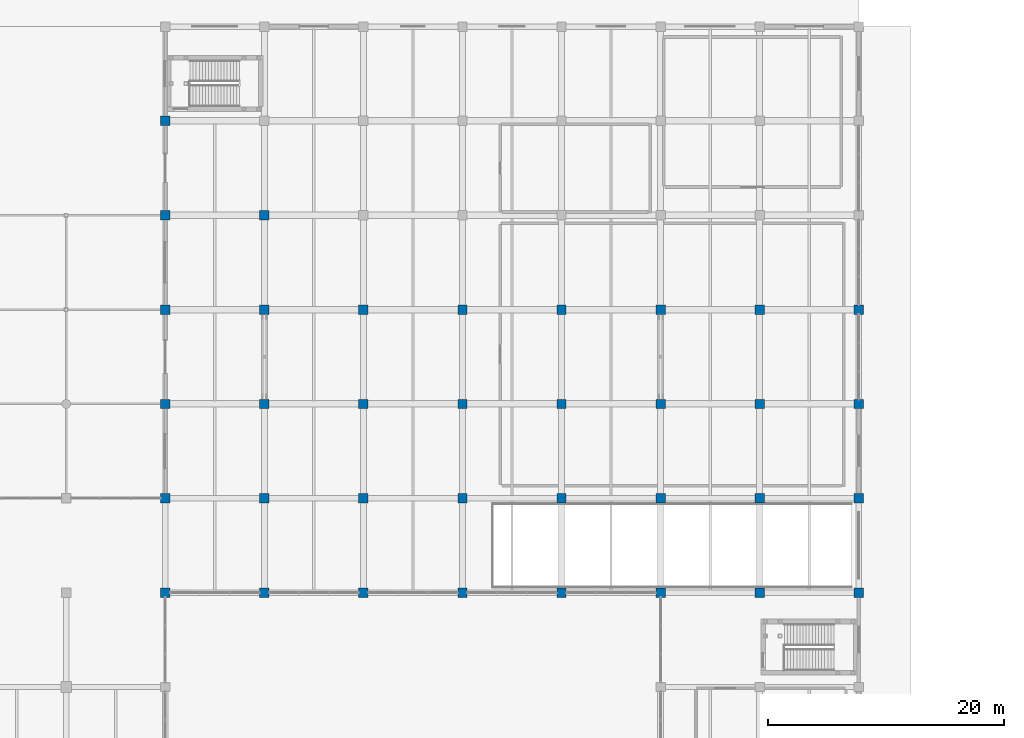
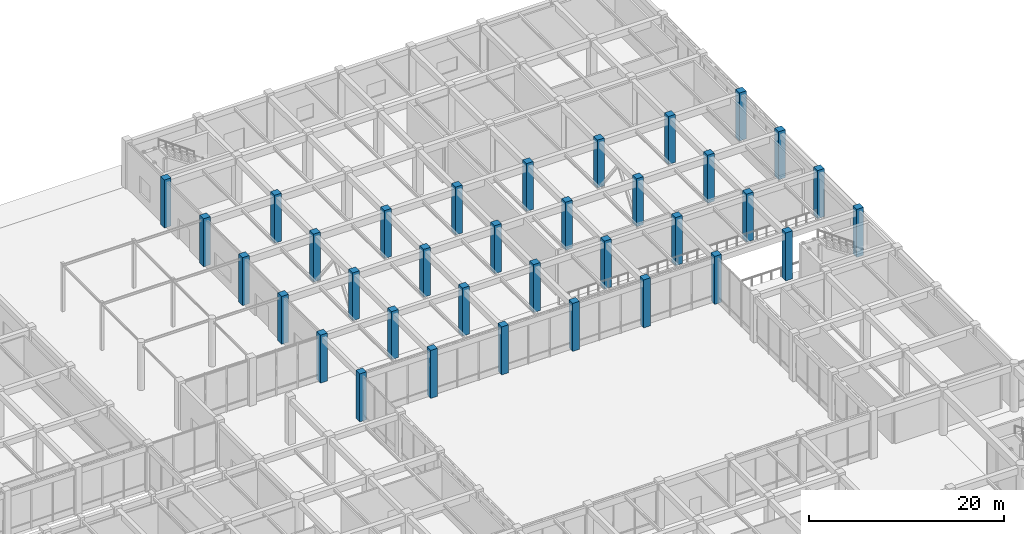
# One storey, part 13 of 76: 35 columns.
"""IFC4 building model written with IfcOpenShell, lengths in metres."""

from ifc_helpers import new_model, si_unit, direction, frame, origin, origin_2d, place, context, subcontext, project, spatial, rectangle, extrude, material, material_profile, profile_set, type_object, element, save


model = new_model("IFC4")

# Units and contexts
model_context = context("Model", 3, precision=1e-05, world=origin(), true_north=direction((0.0, 1.0)))
body_context = subcontext(model_context, "Body", "Model", "MODEL_VIEW")
ifc_project = project(units=[si_unit("LENGTHUNIT", "METRE"), si_unit("AREAUNIT", "SQUARE_METRE"), si_unit("VOLUMEUNIT", "CUBIC_METRE"), si_unit("PLANEANGLEUNIT", "RADIAN"), si_unit("MASSUNIT", "GRAM", prefix="KILO")], contexts=[model_context])

# Site, building, storey
site_placement = place(None, origin())
site = spatial("IfcSite", under=ifc_project, at=site_placement, CompositionType="ELEMENT")
building_placement = place(site_placement, origin())
building = spatial("IfcBuilding", under=site, at=building_placement, Name="Naruveol Harbour Congress Hotel", CompositionType="ELEMENT")
storey_placement = place(building_placement, origin())
storey = spatial("IfcBuildingStorey", under=building, at=storey_placement, Name="L00", CompositionType="ELEMENT", Elevation=0.0)

# Columns
ifc_material = material(Name="Concrete C50/60", Category="concrete")
ifc_material_profile = material_profile(ifc_material, rectangle(XDim=0.800048828125, YDim=0.800048828125, at=origin_2d()), Name="RC-800x800")
ifc_profile_set = profile_set([ifc_material_profile], Name="Concrete C50/60")
column_type = type_object("IfcColumnType", Name="RC PODIUM COLUMN 800X800", PredefinedType="COLUMN", material=ifc_profile_set)
for number, where, z_axis, x_axis, name in (
    (1, (67.199951171875, 64.0, 0.0), (0.0, 0.0, 1.0), (1.0, 0.0, 0.0), "Column C-800 L00 (67.2,64.0)"),
    (2, (67.199951171875, 72.0, 0.0), (0.0, 0.0, 1.0), (1.0, 0.0, 0.0), "Column C-800 L00 (67.2,72.0)"),
    (3, (67.199951171875, 80.0, 0.0), (0.0, 0.0, 1.0), (1.0, 0.0, 0.0), "Column C-800 L00 (67.2,80.0)"),
    (4, (67.199951171875, 88.0, 0.0), (0.0, 0.0, 1.0), (1.0, 0.0, 0.0), "Column C-800 L00 (67.2,88.0)"),
    (5, (67.199951171875, 96.0, 0.0), (0.0, 0.0, 1.0), (1.0, 0.0, 0.0), "Column C-800 L00 (67.2,96.0)"),
    (6, (67.199951171875, 104.0, 0.0), (0.0, 0.0, 1.0), (1.0, 0.0, 0.0), "Column C-800 L00 (67.2,104.0)"),
    (7, (75.60009765625, 64.0, 0.0), (0.0, 0.0, 1.0), (1.0, 0.0, 0.0), "Column C-800 L00 (75.6,64.0)"),
    (8, (75.60009765625, 72.0, 0.0), (0.0, 0.0, 1.0), (1.0, 0.0, 0.0), "Column C-800 L00 (75.6,72.0)"),
    (9, (75.60009765625, 80.0, 0.0), (0.0, 0.0, 1.0), (1.0, 0.0, 0.0), "Column C-800 L00 (75.6,80.0)"),
    (10, (75.60009765625, 88.0, 0.0), (0.0, 0.0, 1.0), (1.0, 0.0, 0.0), "Column C-800 L00 (75.6,88.0)"),
    (11, (75.60009765625, 96.0, 0.0), (0.0, 0.0, 1.0), (1.0, 0.0, 0.0), "Column C-800 L00 (75.6,96.0)"),
    (12, (84.0, 64.0, 0.0), (0.0, 0.0, 1.0), (1.0, 0.0, 0.0), "Column C-800 L00 (84.0,64.0)"),
    (13, (84.0, 72.0, 0.0), (0.0, 0.0, 1.0), (1.0, 0.0, 0.0), "Column C-800 L00 (84.0,72.0)"),
    (14, (84.0, 80.0, 0.0), (0.0, 0.0, 1.0), (1.0, 0.0, 0.0), "Column C-800 L00 (84.0,80.0)"),
    (15, (84.0, 88.0, 0.0), (0.0, 0.0, 1.0), (1.0, 0.0, 0.0), "Column C-800 L00 (84.0,88.0)"),
    (16, (92.39990234375, 64.0, 0.0), (0.0, 0.0, 1.0), (1.0, 0.0, 0.0), "Column C-800 L00 (92.4,64.0)"),
    (17, (92.39990234375, 72.0, 0.0), (0.0, 0.0, 1.0), (1.0, 0.0, 0.0), "Column C-800 L00 (92.4,72.0)"),
    (18, (92.39990234375, 80.0, 0.0), (0.0, 0.0, 1.0), (1.0, 0.0, 0.0), "Column C-800 L00 (92.4,80.0)"),
    (19, (92.39990234375, 88.0, 0.0), (0.0, 0.0, 1.0), (1.0, 0.0, 0.0), "Column C-800 L00 (92.4,88.0)"),
    (20, (100.800048828125, 64.0, 0.0), (0.0, 0.0, 1.0), (1.0, 0.0, 0.0), "Column C-800 L00 (100.8,64.0)"),
    (21, (100.800048828125, 72.0, 0.0), (0.0, 0.0, 1.0), (1.0, 0.0, 0.0), "Column C-800 L00 (100.8,72.0)"),
    (22, (100.800048828125, 80.0, 0.0), (0.0, 0.0, 1.0), (1.0, 0.0, 0.0), "Column C-800 L00 (100.8,80.0)"),
    (23, (100.800048828125, 88.0, 0.0), (0.0, 0.0, 1.0), (1.0, 0.0, 0.0), "Column C-800 L00 (100.8,88.0)"),
    (24, (109.199951171875, 64.0, 0.0), (0.0, 0.0, 1.0), (1.0, 0.0, 0.0), "Column C-800 L00 (109.2,64.0)"),
    (25, (109.199951171875, 72.0, 0.0), (0.0, 0.0, 1.0), (1.0, 0.0, 0.0), "Column C-800 L00 (109.2,72.0)"),
    (26, (109.199951171875, 80.0, 0.0), (0.0, 0.0, 1.0), (1.0, 0.0, 0.0), "Column C-800 L00 (109.2,80.0)"),
    (27, (109.199951171875, 88.0, 0.0), (0.0, 0.0, 1.0), (1.0, 0.0, 0.0), "Column C-800 L00 (109.2,88.0)"),
    (28, (117.60009765625, 64.0, 0.0), (0.0, 0.0, 1.0), (1.0, 0.0, 0.0), "Column C-800 L00 (117.6,64.0)"),
    (29, (117.60009765625, 72.0, 0.0), (0.0, 0.0, 1.0), (1.0, 0.0, 0.0), "Column C-800 L00 (117.6,72.0)"),
    (30, (117.60009765625, 80.0, 0.0), (0.0, 0.0, 1.0), (1.0, 0.0, 0.0), "Column C-800 L00 (117.6,80.0)"),
    (31, (117.60009765625, 88.0, 0.0), (0.0, 0.0, 1.0), (1.0, 0.0, 0.0), "Column C-800 L00 (117.6,88.0)"),
    (32, (126.0, 64.0, 0.0), (0.0, 0.0, 1.0), (1.0, 0.0, 0.0), "Column C-800 L00 (126.0,64.0)"),
    (33, (126.0, 72.0, 0.0), (0.0, 0.0, 1.0), (1.0, 0.0, 0.0), "Column C-800 L00 (126.0,72.0)"),
    (34, (126.0, 80.0, 0.0), (0.0, 0.0, 1.0), (1.0, 0.0, 0.0), "Column C-800 L00 (126.0,80.0)"),
    (35, (126.0, 88.0, 0.0), (0.0, 0.0, 1.0), (1.0, 0.0, 0.0), "Column C-800 L00 (126.0,88.0)"),
):
    element("IfcColumn", number, at=place(storey_placement, frame(where, z_axis=z_axis, x_axis=x_axis)), inside=storey, type_object=column_type, Name=name, PredefinedType="COLUMN", context=body_context, shape_type="SweptSolid", body=[
        extrude(rectangle(XDim=0.800048828125, YDim=0.800048828125, at=origin_2d()), origin(), (0.0, 0.0, 1.0), 6.0),
    ])

save(model, "model.ifc")
